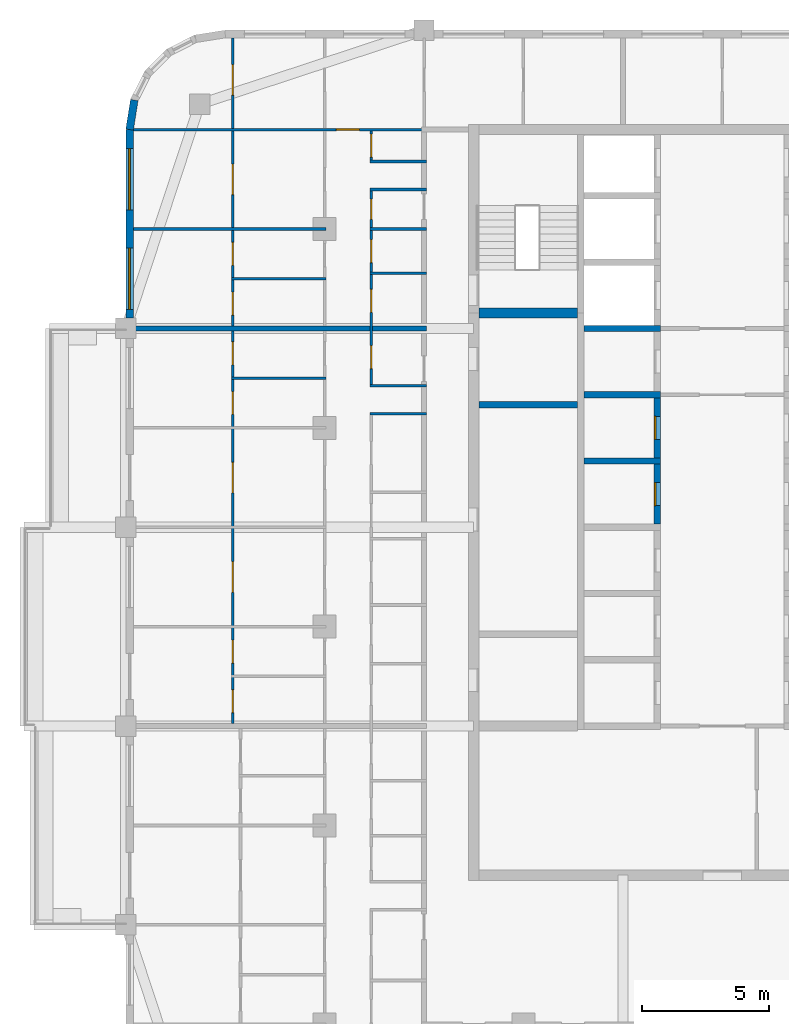
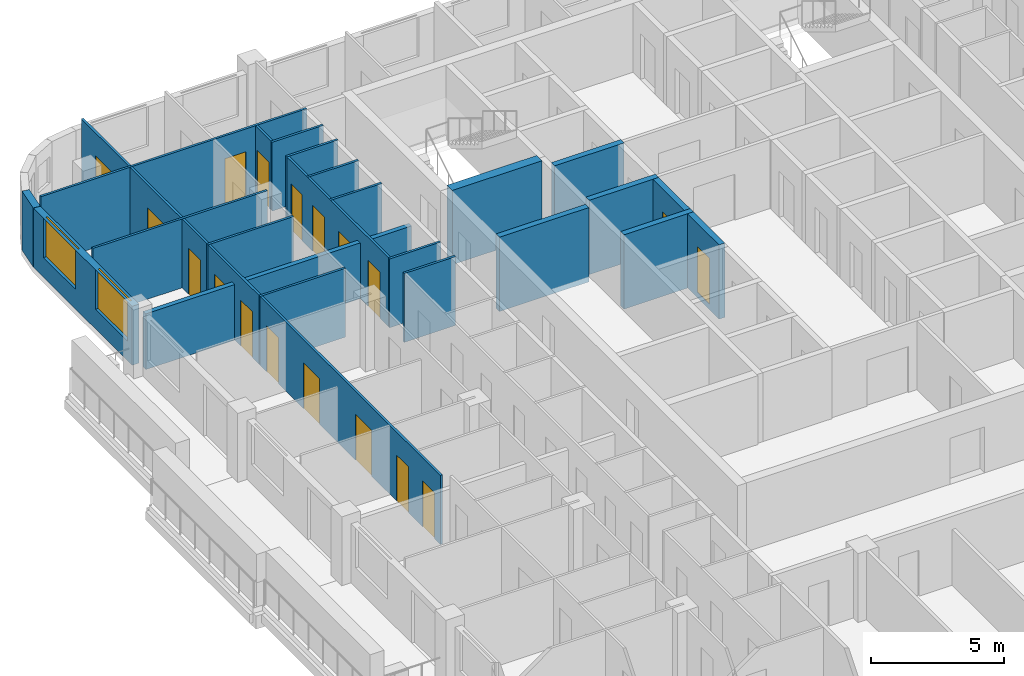
# One storey, part 8 of 16: 23 walls, 18 doors, 2 windows, 20 openings.
"""IFC4 building model written with IfcOpenShell, lengths in metres."""

from ifc_helpers import new_model, si_unit, direction, frame, frame_2d, origin, place, context, subcontext, project, spatial, rectangle, extrude, material, layer, layer_set, type_object, element, fill, save


model = new_model("IFC4")

# Units and contexts
model_context = context("Model", 3, precision=1e-05, world=origin(), true_north=direction((0.0, 1.0)))
body_context = subcontext(model_context, "Body", "Model", "MODEL_VIEW")
ifc_project = project(units=[si_unit("LENGTHUNIT", "METRE"), si_unit("AREAUNIT", "SQUARE_METRE"), si_unit("VOLUMEUNIT", "CUBIC_METRE"), si_unit("PLANEANGLEUNIT", "RADIAN"), si_unit("MASSUNIT", "GRAM", prefix="KILO")], contexts=[model_context])

# Site, building, storey
site_placement = place(None, origin())
site = spatial("IfcSite", under=ifc_project, at=site_placement, CompositionType="ELEMENT")
building_placement = place(site_placement, origin())
building = spatial("IfcBuilding", under=site, at=building_placement, Name="Ludao Terraces", CompositionType="ELEMENT")
storey_placement = place(building_placement, frame((0.0, 0.0, 207.5)))
storey = spatial("IfcBuildingStorey", under=building, at=storey_placement, Name="L56", CompositionType="ELEMENT", Elevation=207.5)

# Wall, openings, windows
ifc_material_1 = material(Name="Granite cladding", Category="masonry")
ifc_layer_1 = layer(ifc_material_1, 0.0400390625, Category="stone")
ifc_material_2 = material(Name="Mineral wool")
ifc_layer_2 = layer(ifc_material_2, 0.06005859375)
ifc_material_3 = material(Name="Concrete C40", Category="concrete")
ifc_layer_3 = layer(ifc_material_3, 0.199951171875, Category="concrete")
ifc_layer_set_1 = layer_set([ifc_layer_1, ifc_layer_2, ifc_layer_3], Name="ENV Stone-clad wall 300")
wall_type_1 = type_object("IfcWallType", Name="ENV Stone-clad wall 300", PredefinedType="SOLIDWALL", material=ifc_layer_set_1)
wall_1_placement = place(storey_placement, frame((61.75, 77.10009765625, 0.0), z_axis=(0.0, 0.0, 1.0), x_axis=(0.0, 1.0, 0.0)))
wall_1 = element("IfcWall", 1, at=wall_1_placement, inside=storey, type_object=wall_type_1, Name="EW-L56-W5", PredefinedType="SOLIDWALL", context=body_context, shape_type="SweptSolid", body=[
    extrude(rectangle(XDim=7.39990234375, YDim=0.300048828125, at=frame_2d((3.699951171875, 0.0))), origin(), (0.0, 0.0, 1.0), 2.699951171875),
])
opening_1_placement = place(wall_1_placement, frame((0.35009765625, 0.0, 0.89990234375)))
opening_1 = element("IfcOpeningElement", 2, at=opening_1_placement, cuts=wall_1, Name="Opening W1", PredefinedType="OPENING", context=body_context, shape_type="SweptSolid", body=[
    extrude(rectangle(XDim=2.39990234375, YDim=1.800048828125, at=frame_2d((1.199951171875, 0.89990234375))), frame((0.0, 0.16015625, 0.0), z_axis=(0.0, -1.0, 0.0), x_axis=(1.0, 0.0, 0.0)), (0.0, 0.0, 1.0), 0.320068359375),
])
opening_2_placement = place(wall_1_placement, frame((4.25, 0.0, 0.89990234375)))
opening_2 = element("IfcOpeningElement", 3, at=opening_2_placement, cuts=wall_1, Name="Opening W1", PredefinedType="OPENING", context=body_context, shape_type="SweptSolid", body=[
    extrude(rectangle(XDim=2.39990234375, YDim=1.800048828125, at=frame_2d((1.199951171875, 0.89990234375))), frame((0.0, 0.16015625, 0.0), z_axis=(0.0, -1.0, 0.0), x_axis=(1.0, 0.0, 0.0)), (0.0, 0.0, 1.0), 0.320068359375),
])
ifc_material_4 = material(Name="Clear glass in aluminium frame", Category="aluminium")
ifc_layer_4 = layer(ifc_material_4, 0.06005859375)
ifc_layer_set_2 = layer_set([ifc_layer_4], Name="ENV Window W1 2400x1800")
window_type = type_object("IfcWindowType", Name="ENV Window W1 2400x1800", PartitioningType="DOUBLE_PANEL_VERTICAL", PredefinedType="WINDOW", material=ifc_layer_set_2)
window_1_placement = place(opening_1_placement, origin())
window_1 = element("IfcWindow", 4, at=window_1_placement, inside=storey, type_object=window_type, Name="W-L56-W5-1", OverallHeight=1.800048828125, OverallWidth=2.39990234375, PartitioningType="DOUBLE_PANEL_VERTICAL", PredefinedType="WINDOW", context=body_context, shape_type="SweptSolid", body=[
    extrude(rectangle(XDim=2.39990234375, YDim=1.800048828125, at=frame_2d((1.199951171875, 0.89990234375))), frame((0.0, 0.030029296875, 0.0), z_axis=(0.0, -1.0, 0.0), x_axis=(1.0, 0.0, 0.0)), (0.0, 0.0, 1.0), 0.06005859375),
])
fill(opening_1, window_1)
window_2_placement = place(opening_2_placement, origin())
window_2 = element("IfcWindow", 5, at=window_2_placement, inside=storey, type_object=window_type, Name="W-L56-W5-2", OverallHeight=1.800048828125, OverallWidth=2.39990234375, PartitioningType="DOUBLE_PANEL_VERTICAL", PredefinedType="WINDOW", context=body_context, shape_type="SweptSolid", body=[
    extrude(rectangle(XDim=2.39990234375, YDim=1.800048828125, at=frame_2d((1.199951171875, 0.89990234375))), frame((0.0, 0.030029296875, 0.0), z_axis=(0.0, -1.0, 0.0), x_axis=(1.0, 0.0, 0.0)), (0.0, 0.0, 1.0), 0.06005859375),
])
fill(opening_2, window_2)

# Walls
wall_2_placement = place(storey_placement, frame((61.93359375, 85.65869140625, 0.0), z_axis=(0.0, 0.0, 1.0), x_axis=(-0.156496880861, -0.987678452879, 0.0)))
element("IfcWall", 6, at=wall_2_placement, inside=storey, type_object=wall_type_1, Name="EW-L56-NW5", PredefinedType="SOLIDWALL", context=body_context, shape_type="SweptSolid", body=[
    extrude(rectangle(XDim=1.173095703125, YDim=0.300048828125, at=frame_2d((0.58642578125, 0.0))), origin(), (0.0, 0.0, 1.0), 2.699951171875),
])
ifc_material_5 = material(Name="Gypsum plasterboard", Category="gypsum")
ifc_layer_5 = layer(ifc_material_5, 0.012451171875, Category="gypsum")
ifc_layer_6 = layer(ifc_material_2, 0.06005859375, Name="insulation")
ifc_material_6 = material(Name="Steel Q235", Category="steel")
ifc_layer_7 = layer(ifc_material_6, 0.014892578125, Name="stud")
ifc_layer_8 = layer(ifc_material_5, 0.012451171875, Category="gypsum")
ifc_layer_set_3 = layer_set([ifc_layer_5, ifc_layer_6, ifc_layer_7, ifc_layer_8], Name="INT Partition 100")
wall_type_2 = type_object("IfcWallType", Name="INT Partition 100", PredefinedType="PARTITIONING", material=ifc_layer_set_3)
for number, where, z_axis, x_axis, name in (
    (7, (71.18017578125, 73.35009765625, 0.0), (0.0, 0.0, 1.0), (1.0, 0.0, 0.0), "PW-L56-PW046"),
    (8, (71.18017578125, 74.449951171875, 0.0), (0.0, 0.0, 1.0), (1.0, 0.0, 0.0), "PW-L56-PW048"),
):
    element("IfcWall", number, at=place(storey_placement, frame(where, z_axis=z_axis, x_axis=x_axis)), inside=storey, type_object=wall_type_2, Name=name, PredefinedType="PARTITIONING", context=body_context, shape_type="SweptSolid", body=[
        extrude(rectangle(XDim=2.219970703125, YDim=0.10009765625, at=frame_2d((1.10986328125, 0.0))), origin(), (0.0, 0.0, 1.0), 3.14990234375),
    ])
for number, where, z_axis, x_axis, name in (
    (9, (65.75, 74.75, 0.0), (0.0, 0.0, 1.0), (1.0, 0.0, 0.0), "PW-L56-PW049"),
    (10, (65.75, 78.64990234375, 0.0), (0.0, 0.0, 1.0), (1.0, 0.0, 0.0), "PW-L56-PW057"),
):
    element("IfcWall", number, at=place(storey_placement, frame(where, z_axis=z_axis, x_axis=x_axis)), inside=storey, type_object=wall_type_2, Name=name, PredefinedType="PARTITIONING", context=body_context, shape_type="SweptSolid", body=[
        extrude(rectangle(XDim=3.7001953125, YDim=0.10009765625, at=frame_2d((1.85009765625, 0.0))), origin(), (0.0, 0.0, 1.0), 3.14990234375),
    ])
wall_3_placement = place(storey_placement, frame((71.18017578125, 78.8701171875, 0.0), z_axis=(0.0, 0.0, 1.0), x_axis=(1.0, 0.0, 0.0)))
element("IfcWall", 11, at=wall_3_placement, inside=storey, type_object=wall_type_2, Name="PW-L56-PW058", PredefinedType="PARTITIONING", context=body_context, shape_type="SweptSolid", body=[
    extrude(rectangle(XDim=2.219970703125, YDim=0.10009765625, at=frame_2d((1.10986328125, 0.0))), origin(), (0.0, 0.0, 1.0), 3.14990234375),
])
wall_4_placement = place(storey_placement, frame((61.900146484375, 80.60009765625, 0.0), z_axis=(0.0, 0.0, 1.0), x_axis=(1.0, 0.0, 0.0)))
element("IfcWall", 12, at=wall_4_placement, inside=storey, type_object=wall_type_2, Name="PW-L56-PW059", PredefinedType="PARTITIONING", context=body_context, shape_type="SweptSolid", body=[
    extrude(rectangle(XDim=7.550048828125, YDim=0.10009765625, at=frame_2d((3.77490234375, 0.0))), origin(), (0.0, 0.0, 1.0), 3.14990234375),
])
for number, where, z_axis, x_axis, name in (
    (13, (71.18017578125, 80.60009765625, 0.0), (0.0, 0.0, 1.0), (1.0, 0.0, 0.0), "PW-L56-PW060"),
    (14, (71.18017578125, 82.14990234375, 0.0), (0.0, 0.0, 1.0), (1.0, 0.0, 0.0), "PW-L56-PW063"),
    (15, (71.18017578125, 83.25, 0.0), (0.0, 0.0, 1.0), (1.0, 0.0, 0.0), "PW-L56-PW065"),
):
    element("IfcWall", number, at=place(storey_placement, frame(where, z_axis=z_axis, x_axis=x_axis)), inside=storey, type_object=wall_type_2, Name=name, PredefinedType="PARTITIONING", context=body_context, shape_type="SweptSolid", body=[
        extrude(rectangle(XDim=2.219970703125, YDim=0.10009765625, at=frame_2d((1.10986328125, 0.0))), origin(), (0.0, 0.0, 1.0), 3.14990234375),
    ])

# Wall, opening, door
wall_5_placement = place(storey_placement, frame((61.900146484375, 84.5, 0.0), z_axis=(0.0, 0.0, 1.0), x_axis=(1.0, 0.0, 0.0)))
wall_5 = element("IfcWall", 16, at=wall_5_placement, inside=storey, type_object=wall_type_2, Name="PW-L56-PW066", PredefinedType="PARTITIONING", context=body_context, shape_type="SweptSolid", body=[
    extrude(rectangle(XDim=11.5, YDim=0.10009765625, at=frame_2d((5.75, 0.0))), origin(), (0.0, 0.0, 1.0), 3.14990234375),
])
opening_3_placement = place(wall_5_placement, frame((7.965087890625, 0.0, 0.0)))
opening_3 = element("IfcOpeningElement", 17, at=opening_3_placement, cuts=wall_5, Name="Opening R20-131", PredefinedType="OPENING", context=body_context, shape_type="SweptSolid", body=[
    extrude(rectangle(XDim=0.89990234375, YDim=2.10009765625, at=frame_2d((0.449951171875, 1.050048828125))), frame((0.0, 0.06005859375, 0.0), z_axis=(0.0, -1.0, 0.0), x_axis=(1.0, 0.0, 0.0)), (0.0, 0.0, 1.0), 0.1201171875),
])
ifc_material_7 = material(Name="Timber door leaf", Category="wood")
door_type_1 = type_object("IfcDoorType", Name="INT Room door 900", OperationType="SINGLE_SWING_LEFT", PredefinedType="DOOR", material=ifc_material_7)
door_1_placement = place(opening_3_placement, origin())
door_1 = element("IfcDoor", 18, at=door_1_placement, inside=storey, type_object=door_type_1, Name="DOOR 131", OperationType="SINGLE_SWING_RIGHT", OverallHeight=2.10009765625, OverallWidth=0.89990234375, PredefinedType="DOOR", context=body_context, shape_type="SweptSolid", body=[
    extrude(rectangle(XDim=0.89990234375, YDim=2.10009765625, at=frame_2d((0.449951171875, 1.050048828125))), frame((0.0, 0.02490234375, 0.0), z_axis=(0.0, -1.0, 0.0), x_axis=(1.0, 0.0, 0.0)), (0.0, 0.0, 1.0), 0.050048828125),
])
fill(opening_3, door_1)

# Wall, openings, doors
wall_6_placement = place(storey_placement, frame((65.800048828125, 61.2001953125, 0.0), z_axis=(0.0, 0.0, 1.0), x_axis=(0.0, 1.0, 0.0)))
wall_6 = element("IfcWall", 19, at=wall_6_placement, inside=storey, type_object=wall_type_2, Name="PW-L56-PW070", PredefinedType="PARTITIONING", context=body_context, shape_type="SweptSolid", body=[
    extrude(rectangle(XDim=26.89990234375, YDim=0.10009765625, at=frame_2d((13.449951171875, 0.0))), origin(), (0.0, 0.0, 1.0), 3.14990234375),
])
opening_4_placement = place(wall_6_placement, frame((0.4248046875, 0.0, 0.0)))
opening_4 = element("IfcOpeningElement", 20, at=opening_4_placement, cuts=wall_6, Name="Opening R20-051", PredefinedType="OPENING", context=body_context, shape_type="SweptSolid", body=[
    extrude(rectangle(XDim=0.89990234375, YDim=2.10009765625, at=frame_2d((0.449951171875, 1.050048828125))), frame((0.0, 0.06005859375, 0.0), z_axis=(0.0, -1.0, 0.0), x_axis=(1.0, 0.0, 0.0)), (0.0, 0.0, 1.0), 0.1201171875),
])
opening_5_placement = place(wall_6_placement, frame((2.375, 0.0, 0.0)))
opening_5 = element("IfcOpeningElement", 21, at=opening_5_placement, cuts=wall_6, Name="Opening R20-060", PredefinedType="OPENING", context=body_context, shape_type="SweptSolid", body=[
    extrude(rectangle(XDim=0.89990234375, YDim=2.10009765625, at=frame_2d((0.449951171875, 1.050048828125))), frame((0.0, 0.06005859375, 0.0), z_axis=(0.0, -1.0, 0.0), x_axis=(1.0, 0.0, 0.0)), (0.0, 0.0, 1.0), 0.1201171875),
])
opening_6_placement = place(wall_6_placement, frame((5.14990234375, 0.0, 0.0)))
opening_6 = element("IfcOpeningElement", 22, at=opening_6_placement, cuts=wall_6, Name="Opening R20-066", PredefinedType="OPENING", context=body_context, shape_type="SweptSolid", body=[
    extrude(rectangle(XDim=1.199951171875, YDim=2.10009765625, at=frame_2d((0.60009765625, 1.050048828125))), frame((0.0, 0.06005859375, 0.0), z_axis=(0.0, -1.0, 0.0), x_axis=(1.0, 0.0, 0.0)), (0.0, 0.0, 1.0), 0.1201171875),
])
opening_7_placement = place(wall_6_placement, frame((9.0498046875, 0.0, 0.0)))
opening_7 = element("IfcOpeningElement", 23, at=opening_7_placement, cuts=wall_6, Name="Opening R20-080", PredefinedType="OPENING", context=body_context, shape_type="SweptSolid", body=[
    extrude(rectangle(XDim=1.199951171875, YDim=2.10009765625, at=frame_2d((0.60009765625, 1.050048828125))), frame((0.0, 0.06005859375, 0.0), z_axis=(0.0, -1.0, 0.0), x_axis=(1.0, 0.0, 0.0)), (0.0, 0.0, 1.0), 0.1201171875),
])
opening_8_placement = place(wall_6_placement, frame((12.125, 0.0, 0.0)))
opening_8 = element("IfcOpeningElement", 24, at=opening_8_placement, cuts=wall_6, Name="Opening R20-089", PredefinedType="OPENING", context=body_context, shape_type="SweptSolid", body=[
    extrude(rectangle(XDim=0.89990234375, YDim=2.10009765625, at=frame_2d((0.449951171875, 1.050048828125))), frame((0.0, 0.06005859375, 0.0), z_axis=(0.0, -1.0, 0.0), x_axis=(1.0, 0.0, 0.0)), (0.0, 0.0, 1.0), 0.1201171875),
])
opening_9_placement = place(wall_6_placement, frame((14.074951171875, 0.0, 0.0)))
opening_9 = element("IfcOpeningElement", 25, at=opening_9_placement, cuts=wall_6, Name="Opening R20-099", PredefinedType="OPENING", context=body_context, shape_type="SweptSolid", body=[
    extrude(rectangle(XDim=0.89990234375, YDim=2.10009765625, at=frame_2d((0.449951171875, 1.050048828125))), frame((0.0, 0.06005859375, 0.0), z_axis=(0.0, -1.0, 0.0), x_axis=(1.0, 0.0, 0.0)), (0.0, 0.0, 1.0), 0.1201171875),
])
opening_10_placement = place(wall_6_placement, frame((16.02490234375, 0.0, 0.0)))
opening_10 = element("IfcOpeningElement", 26, at=opening_10_placement, cuts=wall_6, Name="Opening R20-105", PredefinedType="OPENING", context=body_context, shape_type="SweptSolid", body=[
    extrude(rectangle(XDim=0.89990234375, YDim=2.10009765625, at=frame_2d((0.449951171875, 1.050048828125))), frame((0.0, 0.06005859375, 0.0), z_axis=(0.0, -1.0, 0.0), x_axis=(1.0, 0.0, 0.0)), (0.0, 0.0, 1.0), 0.1201171875),
])
opening_11_placement = place(wall_6_placement, frame((17.974853515625, 0.0, 0.0)))
opening_11 = element("IfcOpeningElement", 27, at=opening_11_placement, cuts=wall_6, Name="Opening R20-115", PredefinedType="OPENING", context=body_context, shape_type="SweptSolid", body=[
    extrude(rectangle(XDim=0.89990234375, YDim=2.10009765625, at=frame_2d((0.449951171875, 1.050048828125))), frame((0.0, 0.06005859375, 0.0), z_axis=(0.0, -1.0, 0.0), x_axis=(1.0, 0.0, 0.0)), (0.0, 0.0, 1.0), 0.1201171875),
])
opening_12_placement = place(wall_6_placement, frame((20.75, 0.0, 0.0)))
opening_12 = element("IfcOpeningElement", 28, at=opening_12_placement, cuts=wall_6, Name="Opening R20-123", PredefinedType="OPENING", context=body_context, shape_type="SweptSolid", body=[
    extrude(rectangle(XDim=1.199951171875, YDim=2.10009765625, at=frame_2d((0.60009765625, 1.050048828125))), frame((0.0, 0.06005859375, 0.0), z_axis=(0.0, -1.0, 0.0), x_axis=(1.0, 0.0, 0.0)), (0.0, 0.0, 1.0), 0.1201171875),
])
opening_13_placement = place(wall_6_placement, frame((24.64990234375, 0.0, 0.0)))
opening_13 = element("IfcOpeningElement", 29, at=opening_13_placement, cuts=wall_6, Name="Opening R20-133", PredefinedType="OPENING", context=body_context, shape_type="SweptSolid", body=[
    extrude(rectangle(XDim=1.199951171875, YDim=2.10009765625, at=frame_2d((0.60009765625, 1.050048828125))), frame((0.0, 0.06005859375, 0.0), z_axis=(0.0, -1.0, 0.0), x_axis=(1.0, 0.0, 0.0)), (0.0, 0.0, 1.0), 0.1201171875),
])
door_type_2 = type_object("IfcDoorType", Name="INT Bathroom door 900", OperationType="SINGLE_SWING_LEFT", PredefinedType="DOOR", material=ifc_material_7)
door_2_placement = place(opening_4_placement, origin())
door_2 = element("IfcDoor", 30, at=door_2_placement, inside=storey, type_object=door_type_2, Name="DOOR 051", OperationType="SINGLE_SWING_RIGHT", OverallHeight=2.10009765625, OverallWidth=0.89990234375, PredefinedType="DOOR", context=body_context, shape_type="SweptSolid", body=[
    extrude(rectangle(XDim=0.89990234375, YDim=2.10009765625, at=frame_2d((0.449951171875, 1.050048828125))), frame((0.0, 0.02490234375, 0.0), z_axis=(0.0, -1.0, 0.0), x_axis=(1.0, 0.0, 0.0)), (0.0, 0.0, 1.0), 0.050048828125),
])
fill(opening_4, door_2)
door_3_placement = place(opening_8_placement, origin())
door_3 = element("IfcDoor", 31, at=door_3_placement, inside=storey, type_object=door_type_2, Name="DOOR 089", OperationType="SINGLE_SWING_RIGHT", OverallHeight=2.10009765625, OverallWidth=0.89990234375, PredefinedType="DOOR", context=body_context, shape_type="SweptSolid", body=[
    extrude(rectangle(XDim=0.89990234375, YDim=2.10009765625, at=frame_2d((0.449951171875, 1.050048828125))), frame((0.0, 0.02490234375, 0.0), z_axis=(0.0, -1.0, 0.0), x_axis=(1.0, 0.0, 0.0)), (0.0, 0.0, 1.0), 0.050048828125),
])
fill(opening_8, door_3)
door_4_placement = place(opening_10_placement, origin())
door_4 = element("IfcDoor", 32, at=door_4_placement, inside=storey, type_object=door_type_2, Name="DOOR 105", OperationType="SINGLE_SWING_RIGHT", OverallHeight=2.10009765625, OverallWidth=0.89990234375, PredefinedType="DOOR", context=body_context, shape_type="SweptSolid", body=[
    extrude(rectangle(XDim=0.89990234375, YDim=2.10009765625, at=frame_2d((0.449951171875, 1.050048828125))), frame((0.0, 0.02490234375, 0.0), z_axis=(0.0, -1.0, 0.0), x_axis=(1.0, 0.0, 0.0)), (0.0, 0.0, 1.0), 0.050048828125),
])
fill(opening_10, door_4)
door_type_3 = type_object("IfcDoorType", Name="INT Double door 1200", OperationType="DOUBLE_DOOR_SINGLE_SWING", PredefinedType="DOOR", material=ifc_material_7)
door_5_placement = place(opening_6_placement, origin())
door_5 = element("IfcDoor", 33, at=door_5_placement, inside=storey, type_object=door_type_3, Name="DOOR 066", OperationType="DOUBLE_DOOR_SINGLE_SWING", OverallHeight=2.10009765625, OverallWidth=1.199951171875, PredefinedType="DOOR", context=body_context, shape_type="SweptSolid", body=[
    extrude(rectangle(XDim=1.199951171875, YDim=2.10009765625, at=frame_2d((0.60009765625, 1.050048828125))), frame((0.0, 0.02490234375, 0.0), z_axis=(0.0, -1.0, 0.0), x_axis=(1.0, 0.0, 0.0)), (0.0, 0.0, 1.0), 0.050048828125),
])
fill(opening_6, door_5)
door_6_placement = place(opening_7_placement, origin())
door_6 = element("IfcDoor", 34, at=door_6_placement, inside=storey, type_object=door_type_3, Name="DOOR 080", OperationType="DOUBLE_DOOR_SINGLE_SWING", OverallHeight=2.10009765625, OverallWidth=1.199951171875, PredefinedType="DOOR", context=body_context, shape_type="SweptSolid", body=[
    extrude(rectangle(XDim=1.199951171875, YDim=2.10009765625, at=frame_2d((0.60009765625, 1.050048828125))), frame((0.0, 0.02490234375, 0.0), z_axis=(0.0, -1.0, 0.0), x_axis=(1.0, 0.0, 0.0)), (0.0, 0.0, 1.0), 0.050048828125),
])
fill(opening_7, door_6)
door_7_placement = place(opening_12_placement, origin())
door_7 = element("IfcDoor", 35, at=door_7_placement, inside=storey, type_object=door_type_3, Name="DOOR 123", OperationType="DOUBLE_DOOR_SINGLE_SWING", OverallHeight=2.10009765625, OverallWidth=1.199951171875, PredefinedType="DOOR", context=body_context, shape_type="SweptSolid", body=[
    extrude(rectangle(XDim=1.199951171875, YDim=2.10009765625, at=frame_2d((0.60009765625, 1.050048828125))), frame((0.0, 0.02490234375, 0.0), z_axis=(0.0, -1.0, 0.0), x_axis=(1.0, 0.0, 0.0)), (0.0, 0.0, 1.0), 0.050048828125),
])
fill(opening_12, door_7)
door_8_placement = place(opening_13_placement, origin())
door_8 = element("IfcDoor", 36, at=door_8_placement, inside=storey, type_object=door_type_3, Name="DOOR 133", OperationType="DOUBLE_DOOR_SINGLE_SWING", OverallHeight=2.10009765625, OverallWidth=1.199951171875, PredefinedType="DOOR", context=body_context, shape_type="SweptSolid", body=[
    extrude(rectangle(XDim=1.199951171875, YDim=2.10009765625, at=frame_2d((0.60009765625, 1.050048828125))), frame((0.0, 0.02490234375, 0.0), z_axis=(0.0, -1.0, 0.0), x_axis=(1.0, 0.0, 0.0)), (0.0, 0.0, 1.0), 0.050048828125),
])
fill(opening_13, door_8)
door_9_placement = place(opening_5_placement, origin())
door_9 = element("IfcDoor", 37, at=door_9_placement, inside=storey, type_object=door_type_1, Name="DOOR 060", OperationType="SINGLE_SWING_RIGHT", OverallHeight=2.10009765625, OverallWidth=0.89990234375, PredefinedType="DOOR", context=body_context, shape_type="SweptSolid", body=[
    extrude(rectangle(XDim=0.89990234375, YDim=2.10009765625, at=frame_2d((0.449951171875, 1.050048828125))), frame((0.0, 0.02490234375, 0.0), z_axis=(0.0, -1.0, 0.0), x_axis=(1.0, 0.0, 0.0)), (0.0, 0.0, 1.0), 0.050048828125),
])
fill(opening_5, door_9)
door_10_placement = place(opening_9_placement, origin())
door_10 = element("IfcDoor", 38, at=door_10_placement, inside=storey, type_object=door_type_1, Name="DOOR 099", OperationType="SINGLE_SWING_LEFT", OverallHeight=2.10009765625, OverallWidth=0.89990234375, PredefinedType="DOOR", context=body_context, shape_type="SweptSolid", body=[
    extrude(rectangle(XDim=0.89990234375, YDim=2.10009765625, at=frame_2d((0.449951171875, 1.050048828125))), frame((0.0, 0.02490234375, 0.0), z_axis=(0.0, -1.0, 0.0), x_axis=(1.0, 0.0, 0.0)), (0.0, 0.0, 1.0), 0.050048828125),
])
fill(opening_9, door_10)
door_11_placement = place(opening_11_placement, origin())
door_11 = element("IfcDoor", 39, at=door_11_placement, inside=storey, type_object=door_type_1, Name="DOOR 115", OperationType="SINGLE_SWING_RIGHT", OverallHeight=2.10009765625, OverallWidth=0.89990234375, PredefinedType="DOOR", context=body_context, shape_type="SweptSolid", body=[
    extrude(rectangle(XDim=0.89990234375, YDim=2.10009765625, at=frame_2d((0.449951171875, 1.050048828125))), frame((0.0, 0.02490234375, 0.0), z_axis=(0.0, -1.0, 0.0), x_axis=(1.0, 0.0, 0.0)), (0.0, 0.0, 1.0), 0.050048828125),
])
fill(opening_11, door_11)

wall_7_placement = place(storey_placement, frame((71.22998046875, 74.5, 0.0), z_axis=(0.0, 0.0, 1.0), x_axis=(0.0, 1.0, 0.0)))
wall_7 = element("IfcWall", 40, at=wall_7_placement, inside=storey, type_object=wall_type_2, Name="PW-L56-PW075", PredefinedType="PARTITIONING", context=body_context, shape_type="SweptSolid", body=[
    extrude(rectangle(XDim=7.60009765625, YDim=0.10009765625, at=frame_2d((3.800048828125, 0.0))), origin(), (0.0, 0.0, 1.0), 3.14990234375),
])
opening_14_placement = place(wall_7_placement, frame((0.625, 0.0, 0.0)))
opening_14 = element("IfcOpeningElement", 41, at=opening_14_placement, cuts=wall_7, Name="Opening R20-098", PredefinedType="OPENING", context=body_context, shape_type="SweptSolid", body=[
    extrude(rectangle(XDim=0.89990234375, YDim=2.10009765625, at=frame_2d((0.449951171875, 1.050048828125))), frame((0.0, 0.06005859375, 0.0), z_axis=(0.0, -1.0, 0.0), x_axis=(1.0, 0.0, 0.0)), (0.0, 0.0, 1.0), 0.1201171875),
])
opening_15_placement = place(wall_7_placement, frame((2.835205078125, 0.0, 0.0)))
opening_15 = element("IfcOpeningElement", 42, at=opening_15_placement, cuts=wall_7, Name="Opening R20-106", PredefinedType="OPENING", context=body_context, shape_type="SweptSolid", body=[
    extrude(rectangle(XDim=0.89990234375, YDim=2.10009765625, at=frame_2d((0.449951171875, 1.050048828125))), frame((0.0, 0.06005859375, 0.0), z_axis=(0.0, -1.0, 0.0), x_axis=(1.0, 0.0, 0.0)), (0.0, 0.0, 1.0), 0.1201171875),
])
opening_16_placement = place(wall_7_placement, frame((4.78515625, 0.0, 0.0)))
opening_16 = element("IfcOpeningElement", 43, at=opening_16_placement, cuts=wall_7, Name="Opening R20-116", PredefinedType="OPENING", context=body_context, shape_type="SweptSolid", body=[
    extrude(rectangle(XDim=0.89990234375, YDim=2.10009765625, at=frame_2d((0.449951171875, 1.050048828125))), frame((0.0, 0.06005859375, 0.0), z_axis=(0.0, -1.0, 0.0), x_axis=(1.0, 0.0, 0.0)), (0.0, 0.0, 1.0), 0.1201171875),
])
opening_17_placement = place(wall_7_placement, frame((6.47509765625, 0.0, 0.0)))
opening_17 = element("IfcOpeningElement", 44, at=opening_17_placement, cuts=wall_7, Name="Opening R20-120", PredefinedType="OPENING", context=body_context, shape_type="SweptSolid", body=[
    extrude(rectangle(XDim=0.800048828125, YDim=2.10009765625, at=frame_2d((0.39990234375, 1.050048828125))), frame((0.0, 0.06005859375, 0.0), z_axis=(0.0, -1.0, 0.0), x_axis=(1.0, 0.0, 0.0)), (0.0, 0.0, 1.0), 0.1201171875),
])
door_12_placement = place(opening_14_placement, origin())
door_12 = element("IfcDoor", 45, at=door_12_placement, inside=storey, type_object=door_type_2, Name="DOOR 098", OperationType="SINGLE_SWING_LEFT", OverallHeight=2.10009765625, OverallWidth=0.89990234375, PredefinedType="DOOR", context=body_context, shape_type="SweptSolid", body=[
    extrude(rectangle(XDim=0.89990234375, YDim=2.10009765625, at=frame_2d((0.449951171875, 1.050048828125))), frame((0.0, 0.02490234375, 0.0), z_axis=(0.0, -1.0, 0.0), x_axis=(1.0, 0.0, 0.0)), (0.0, 0.0, 1.0), 0.050048828125),
])
fill(opening_14, door_12)
door_13_placement = place(opening_16_placement, origin())
door_13 = element("IfcDoor", 46, at=door_13_placement, inside=storey, type_object=door_type_2, Name="DOOR 116", OperationType="SINGLE_SWING_RIGHT", OverallHeight=2.10009765625, OverallWidth=0.89990234375, PredefinedType="DOOR", context=body_context, shape_type="SweptSolid", body=[
    extrude(rectangle(XDim=0.89990234375, YDim=2.10009765625, at=frame_2d((0.449951171875, 1.050048828125))), frame((0.0, 0.02490234375, 0.0), z_axis=(0.0, -1.0, 0.0), x_axis=(1.0, 0.0, 0.0)), (0.0, 0.0, 1.0), 0.050048828125),
])
fill(opening_16, door_13)
door_14_placement = place(opening_15_placement, origin())
door_14 = element("IfcDoor", 47, at=door_14_placement, inside=storey, type_object=door_type_1, Name="DOOR 106", OperationType="SINGLE_SWING_RIGHT", OverallHeight=2.10009765625, OverallWidth=0.89990234375, PredefinedType="DOOR", context=body_context, shape_type="SweptSolid", body=[
    extrude(rectangle(XDim=0.89990234375, YDim=2.10009765625, at=frame_2d((0.449951171875, 1.050048828125))), frame((0.0, 0.02490234375, 0.0), z_axis=(0.0, -1.0, 0.0), x_axis=(1.0, 0.0, 0.0)), (0.0, 0.0, 1.0), 0.050048828125),
])
fill(opening_15, door_14)
door_type_4 = type_object("IfcDoorType", Name="INT Store door 800", OperationType="SINGLE_SWING_LEFT", PredefinedType="DOOR", material=ifc_material_7)
door_15_placement = place(opening_17_placement, origin())
door_15 = element("IfcDoor", 48, at=door_15_placement, inside=storey, type_object=door_type_4, Name="DOOR 120", OperationType="SINGLE_SWING_RIGHT", OverallHeight=2.10009765625, OverallWidth=0.800048828125, PredefinedType="DOOR", context=body_context, shape_type="SweptSolid", body=[
    extrude(rectangle(XDim=0.800048828125, YDim=2.10009765625, at=frame_2d((0.39990234375, 1.050048828125))), frame((0.0, 0.02490234375, 0.0), z_axis=(0.0, -1.0, 0.0), x_axis=(1.0, 0.0, 0.0)), (0.0, 0.0, 1.0), 0.050048828125),
])
fill(opening_17, door_15)

# Wall, opening, door
wall_8_placement = place(storey_placement, frame((71.22998046875, 83.300048828125, 0.0), z_axis=(0.0, 0.0, 1.0), x_axis=(0.0, 1.0, 0.0)))
wall_8 = element("IfcWall", 49, at=wall_8_placement, inside=storey, type_object=wall_type_2, Name="PW-L56-PW076", PredefinedType="PARTITIONING", context=body_context, shape_type="SweptSolid", body=[
    extrude(rectangle(XDim=1.150146484375, YDim=0.10009765625, at=frame_2d((0.5751953125, 0.0))), origin(), (0.0, 0.0, 1.0), 3.14990234375),
])
opening_18_placement = place(wall_8_placement, frame((0.125, 0.0, 0.0)))
opening_18 = element("IfcOpeningElement", 50, at=opening_18_placement, cuts=wall_8, Name="Opening R20-130", PredefinedType="OPENING", context=body_context, shape_type="SweptSolid", body=[
    extrude(rectangle(XDim=0.89990234375, YDim=2.10009765625, at=frame_2d((0.449951171875, 1.050048828125))), frame((0.0, 0.06005859375, 0.0), z_axis=(0.0, -1.0, 0.0), x_axis=(1.0, 0.0, 0.0)), (0.0, 0.0, 1.0), 0.1201171875),
])
door_16_placement = place(opening_18_placement, origin())
door_16 = element("IfcDoor", 51, at=door_16_placement, inside=storey, type_object=door_type_2, Name="DOOR 130", OperationType="SINGLE_SWING_RIGHT", OverallHeight=2.10009765625, OverallWidth=0.89990234375, PredefinedType="DOOR", context=body_context, shape_type="SweptSolid", body=[
    extrude(rectangle(XDim=0.89990234375, YDim=2.10009765625, at=frame_2d((0.449951171875, 1.050048828125))), frame((0.0, 0.02490234375, 0.0), z_axis=(0.0, -1.0, 0.0), x_axis=(1.0, 0.0, 0.0)), (0.0, 0.0, 1.0), 0.050048828125),
])
fill(opening_18, door_16)

# Wall
ifc_material_8 = material(Name="Autoclaved aerated concrete block B06 A3.5", Category="concrete")
ifc_layer_9 = layer(ifc_material_8, 0.199951171875)
ifc_layer_set_4 = layer_set([ifc_layer_9], Name="INT Party wall 200")
wall_type_3 = type_object("IfcWallType", Name="INT Party wall 200", PredefinedType="PARTITIONING", material=ifc_layer_set_4)
wall_9_placement = place(storey_placement, frame((61.900146484375, 76.699951171875, 0.0), z_axis=(0.0, 0.0, 1.0), x_axis=(1.0, 0.0, 0.0)))
element("IfcWall", 52, at=wall_9_placement, inside=storey, type_object=wall_type_3, Name="PW-L56-PW052", PredefinedType="PARTITIONING", context=body_context, shape_type="SweptSolid", body=[
    extrude(rectangle(XDim=11.5, YDim=0.199951171875, at=frame_2d((5.75, 0.0))), origin(), (0.0, 0.0, 1.0), 2.550048828125),
])

# Wall, opening, door
ifc_material_9 = material(Name="Concrete C50", Category="concrete")
ifc_layer_10 = layer(ifc_material_9, 0.25)
ifc_layer_set_5 = layer_set([ifc_layer_10], Name="Shaft wall 250 C50")
wall_type_4 = type_object("IfcWallType", Name="Shaft wall 250 C50", PredefinedType="SOLIDWALL", material=ifc_layer_set_5)
wall_10_placement = place(storey_placement, frame((82.449951171875, 69.02490234375, -0.25), z_axis=(0.0, 0.0, 1.0), x_axis=(0.0, 1.0, 0.0)))
wall_10 = element("IfcWall", 53, at=wall_10_placement, inside=storey, type_object=wall_type_4, Name="Core wall L56 front-W4", PredefinedType="SOLIDWALL", context=body_context, shape_type="SweptSolid", body=[
    extrude(rectangle(XDim=2.35009765625, YDim=0.25, at=frame_2d((1.175048828125, 0.0))), origin(), (0.0, 0.0, 1.0), 3.39990234375),
])
opening_19_placement = place(wall_10_placement, frame((0.72509765625, 0.0, 0.25)))
opening_19 = element("IfcOpeningElement", 54, at=opening_19_placement, cuts=wall_10, Name="Opening R20-078", PredefinedType="OPENING", context=body_context, shape_type="SweptSolid", body=[
    extrude(rectangle(XDim=0.89990234375, YDim=2.10009765625, at=frame_2d((0.449951171875, 1.050048828125))), frame((0.0, 0.135009765625, 0.0), z_axis=(0.0, -1.0, 0.0), x_axis=(1.0, 0.0, 0.0)), (0.0, 0.0, 1.0), 0.27001953125),
])
door_17_placement = place(opening_19_placement, origin())
door_17 = element("IfcDoor", 55, at=door_17_placement, inside=storey, type_object=door_type_1, Name="DOOR 078", OperationType="SINGLE_SWING_RIGHT", OverallHeight=2.10009765625, OverallWidth=0.89990234375, PredefinedType="DOOR", context=body_context, shape_type="SweptSolid", body=[
    extrude(rectangle(XDim=0.89990234375, YDim=2.10009765625, at=frame_2d((0.449951171875, 1.050048828125))), frame((0.0, 0.10986328125, 0.0), z_axis=(0.0, -1.0, 0.0), x_axis=(1.0, 0.0, 0.0)), (0.0, 0.0, 1.0), 0.050048828125),
])
fill(opening_19, door_17)

# Wall
wall_11_placement = place(storey_placement, frame((79.574951171875, 71.5, -0.25), z_axis=(0.0, 0.0, 1.0), x_axis=(1.0, 0.0, 0.0)))
element("IfcWall", 56, at=wall_11_placement, inside=storey, type_object=wall_type_4, Name="Core wall L56 div-W5", PredefinedType="SOLIDWALL", context=body_context, shape_type="SweptSolid", body=[
    extrude(rectangle(XDim=3.0, YDim=0.25, at=frame_2d((1.5, 0.0))), origin(), (0.0, 0.0, 1.0), 3.39990234375),
])

# Wall, opening, door
wall_12_placement = place(storey_placement, frame((82.449951171875, 71.625, -0.25), z_axis=(0.0, 0.0, 1.0), x_axis=(0.0, 1.0, 0.0)))
wall_12 = element("IfcWall", 57, at=wall_12_placement, inside=storey, type_object=wall_type_4, Name="Core wall L56 front-W5", PredefinedType="SOLIDWALL", context=body_context, shape_type="SweptSolid", body=[
    extrude(rectangle(XDim=2.35009765625, YDim=0.25, at=frame_2d((1.175048828125, 0.0))), origin(), (0.0, 0.0, 1.0), 3.39990234375),
])
opening_20_placement = place(wall_12_placement, frame((0.72509765625, 0.0, 0.25)))
opening_20 = element("IfcOpeningElement", 58, at=opening_20_placement, cuts=wall_12, Name="Opening R20-087", PredefinedType="OPENING", context=body_context, shape_type="SweptSolid", body=[
    extrude(rectangle(XDim=0.89990234375, YDim=2.10009765625, at=frame_2d((0.449951171875, 1.050048828125))), frame((0.0, 0.135009765625, 0.0), z_axis=(0.0, -1.0, 0.0), x_axis=(1.0, 0.0, 0.0)), (0.0, 0.0, 1.0), 0.27001953125),
])
door_18_placement = place(opening_20_placement, origin())
door_18 = element("IfcDoor", 59, at=door_18_placement, inside=storey, type_object=door_type_1, Name="DOOR 087", OperationType="SINGLE_SWING_LEFT", OverallHeight=2.10009765625, OverallWidth=0.89990234375, PredefinedType="DOOR", context=body_context, shape_type="SweptSolid", body=[
    extrude(rectangle(XDim=0.89990234375, YDim=2.10009765625, at=frame_2d((0.449951171875, 1.050048828125))), frame((0.0, 0.10986328125, 0.0), z_axis=(0.0, -1.0, 0.0), x_axis=(1.0, 0.0, 0.0)), (0.0, 0.0, 1.0), 0.050048828125),
])
fill(opening_20, door_18)

# Walls
for number, where, z_axis, x_axis, name in (
    (60, (79.574951171875, 74.10009765625, -0.25), (0.0, 0.0, 1.0), (1.0, 0.0, 0.0), "Core wall L56 div-W6"),
    (61, (79.574951171875, 76.699951171875, -0.25), (0.0, 0.0, 1.0), (1.0, 0.0, 0.0), "Core wall L56 div-W7"),
):
    element("IfcWall", number, at=place(storey_placement, frame(where, z_axis=z_axis, x_axis=x_axis)), inside=storey, type_object=wall_type_4, Name=name, PredefinedType="SOLIDWALL", context=body_context, shape_type="SweptSolid", body=[
        extrude(rectangle(XDim=3.0, YDim=0.25, at=frame_2d((1.5, 0.0))), origin(), (0.0, 0.0, 1.0), 3.39990234375),
    ])
wall_13_placement = place(storey_placement, frame((75.449951171875, 73.699951171875, -0.25), z_axis=(0.0, 0.0, 1.0), x_axis=(1.0, 0.0, 0.0)))
element("IfcWall", 62, at=wall_13_placement, inside=storey, type_object=wall_type_4, Name="Core wall L56 riser-b-W", PredefinedType="SOLIDWALL", context=body_context, shape_type="SweptSolid", body=[
    extrude(rectangle(XDim=3.875, YDim=0.25, at=frame_2d((1.9375, 0.0))), origin(), (0.0, 0.0, 1.0), 3.39990234375),
])
ifc_layer_11 = layer(ifc_material_9, 0.39990234375)
ifc_layer_set_6 = layer_set([ifc_layer_11], Name="Shaft wall 400 C50")
wall_type_5 = type_object("IfcWallType", Name="Shaft wall 400 C50", PredefinedType="SOLIDWALL", material=ifc_layer_set_6)
wall_14_placement = place(storey_placement, frame((75.449951171875, 77.300048828125, -0.25), z_axis=(0.0, 0.0, 1.0), x_axis=(1.0, 0.0, 0.0)))
element("IfcWall", 63, at=wall_14_placement, inside=storey, type_object=wall_type_5, Name="Core wall L56 stair-W", PredefinedType="SOLIDWALL", context=body_context, shape_type="SweptSolid", body=[
    extrude(rectangle(XDim=3.875, YDim=0.39990234375, at=frame_2d((1.9375, 0.0))), origin(), (0.0, 0.0, 1.0), 3.39990234375),
])

save(model, "model.ifc")
